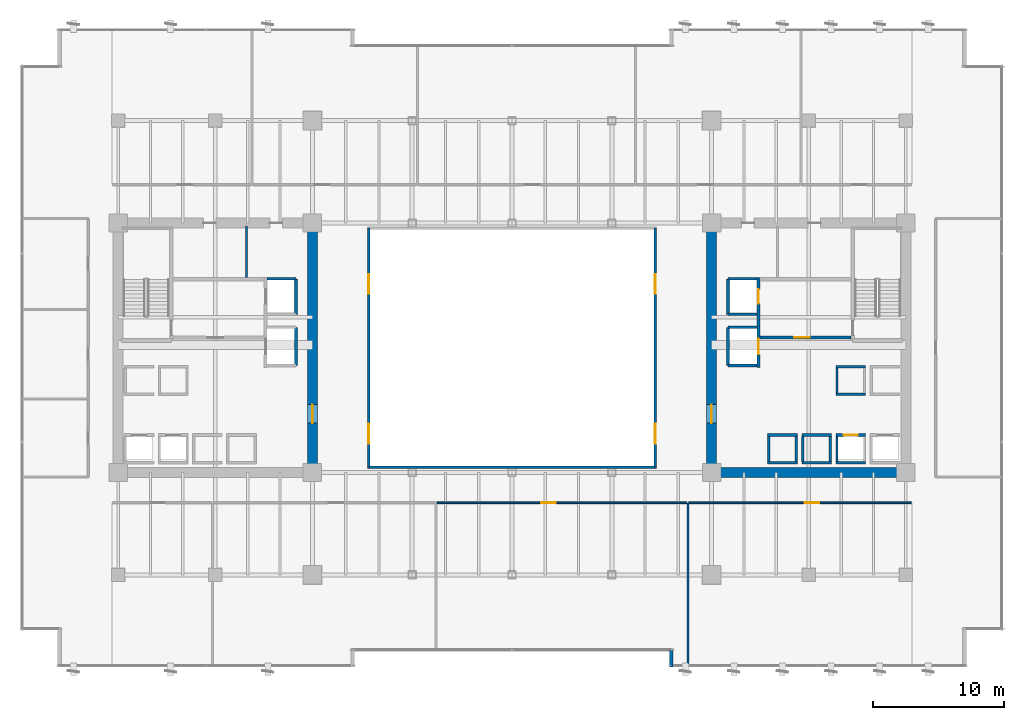
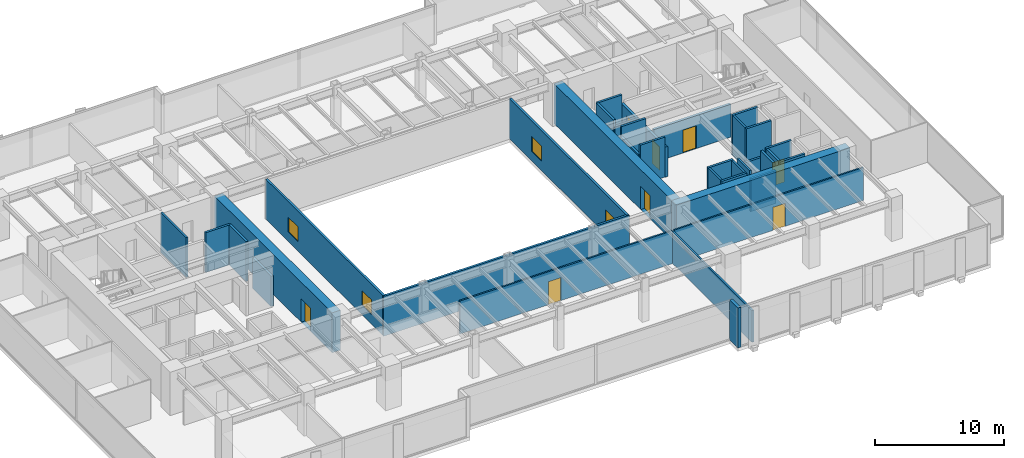
# One storey, part 30 of 37: 36 walls, 8 doors, 4 windows, 12 openings.
"""IFC4 building model written with IfcOpenShell, lengths in metres."""

from ifc_helpers import new_model, si_unit, direction, frame, frame_2d, origin, place, context, subcontext, project, spatial, rectangle, extrude, source, transform, mapped, material, layer, layer_set, type_object, type_shapes, element, fill, save


model = new_model("IFC4")

# Units and contexts
model_context = context("Model", 3, precision=1e-05, world=origin(), true_north=direction((0.0, 1.0)))
body_context = subcontext(model_context, "Body", "Model", "MODEL_VIEW")
ifc_project = project(units=[si_unit("LENGTHUNIT", "METRE"), si_unit("AREAUNIT", "SQUARE_METRE"), si_unit("VOLUMEUNIT", "CUBIC_METRE"), si_unit("PLANEANGLEUNIT", "RADIAN"), si_unit("MASSUNIT", "GRAM", prefix="KILO")], contexts=[model_context])

# Site, building, storey
site_placement = place(None, origin())
site = spatial("IfcSite", under=ifc_project, at=site_placement, CompositionType="ELEMENT")
building_placement = place(site_placement, origin())
building = spatial("IfcBuilding", under=site, at=building_placement, Name="Haelvirn Gate Laboratories", CompositionType="ELEMENT")
storey_placement = place(building_placement, frame((0.0, 0.0, 74.39990234375)))
storey = spatial("IfcBuildingStorey", under=building, at=storey_placement, Name="L18", CompositionType="ELEMENT", Elevation=74.39990234375)

# Walls
ifc_material_1 = material(Name="Thermally-broken bronze aluminium rainscreen & mineral wool", Category="aluminium")
ifc_layer_1 = layer(ifc_material_1, 0.280029296875, Name="EW-TERR-280")
ifc_layer_set_1 = layer_set([ifc_layer_1], Name="Thermally-broken bronze aluminium rainscreen & mineral wool")
wall_type_1 = type_object("IfcWallType", Name="EW-TERR-280", PredefinedType="STANDARD", material=ifc_layer_set_1)
wall_1_placement = place(storey_placement, frame((49.5400390625, 1.2880859375, 0.0), z_axis=(0.0, 0.0, 1.0), x_axis=(0.0, -1.0, 0.0)))
element("IfcWall", 1, at=wall_1_placement, inside=storey, type_object=wall_type_1, Name="L18 Atrium Recess Bronze Return Wall 03", PredefinedType="STANDARD", context=body_context, shape_type="SweptSolid", body=[
    extrude(rectangle(XDim=1.2880859375, YDim=0.280029296875, at=frame_2d((0.64404296875, 0.0))), origin(), (0.0, 0.0, 1.0), 3.780029296875),
])
ifc_material_2 = material(Name="Double-layer acoustic gypsum laboratory partition", Category="gypsum")
ifc_layer_2 = layer(ifc_material_2, 0.159912109375, Name="IW-ACOUST-160")
ifc_layer_set_2 = layer_set([ifc_layer_2], Name="Double-layer acoustic gypsum laboratory partition")
wall_type_2 = type_object("IfcWallType", Name="IW-ACOUST-160", PredefinedType="PARTITIONING", material=ifc_layer_set_2)
wall_2_placement = place(storey_placement, frame((50.800048828125, 0.110107421875, 0.0), z_axis=(0.0, 0.0, 1.0), x_axis=(0.0, 1.0, 0.0)))
element("IfcWall", 2, at=wall_2_placement, inside=storey, type_object=wall_type_2, Name="L18 Interior Wall IW-L18-SDIV-03", PredefinedType="PARTITIONING", context=body_context, shape_type="SweptSolid", body=[
    extrude(rectangle(XDim=12.3798828125, YDim=0.159912109375, at=frame_2d((6.18994140625, 0.0))), origin(), (0.0, 0.0, 1.0), 3.01513671875),
])

# Wall, openings, windows
ifc_material_3 = material(Name="Tempered fire-rated borosilicate glass & anodised aluminium", Category="aluminium")
ifc_layer_3 = layer(ifc_material_3, 0.195068359375, Name="IW-GLAZ-200")
ifc_layer_set_3 = layer_set([ifc_layer_3], Name="Tempered fire-rated borosilicate glass & anodised aluminium")
wall_type_3 = type_object("IfcWallType", Name="IW-GLAZ-200", PredefinedType="SOLIDWALL", material=ifc_layer_set_3)
wall_3_placement = place(storey_placement, frame((26.5, 15.199951171875, 0.0), z_axis=(0.0, 0.0, 1.0), x_axis=(0.0, 1.0, 0.0)))
wall_3 = element("IfcWall", 3, at=wall_3_placement, inside=storey, type_object=wall_type_3, Name="L18 Interior Wall IW-L18-ATRIUM-W", PredefinedType="SOLIDWALL", context=body_context, shape_type="SweptSolid", body=[
    extrude(rectangle(XDim=18.199951171875, YDim=0.195068359375, at=frame_2d((9.10009765625, 0.0))), origin(), (0.0, 0.0, 1.0), 3.780029296875),
])
opening_1_placement = place(wall_3_placement, frame((1.800048828125, 0.0, 0.89990234375)))
opening_1 = element("IfcOpeningElement", 4, at=opening_1_placement, cuts=wall_3, Name="Opening W5", PredefinedType="OPENING", context=body_context, shape_type="SweptSolid", body=[
    extrude(rectangle(XDim=1.5, YDim=1.39990234375, at=frame_2d((0.75, 0.699951171875))), frame((0.0, 0.107421875, 0.0), z_axis=(0.0, -1.0, 0.0), x_axis=(1.0, 0.0, 0.0)), (0.0, 0.0, 1.0), 0.215087890625),
])
opening_2_placement = place(wall_3_placement, frame((13.199951171875, 0.0, 0.89990234375)))
opening_2 = element("IfcOpeningElement", 5, at=opening_2_placement, cuts=wall_3, Name="Opening W5", PredefinedType="OPENING", context=body_context, shape_type="SweptSolid", body=[
    extrude(rectangle(XDim=1.5, YDim=1.39990234375, at=frame_2d((0.75, 0.699951171875))), frame((0.0, 0.107421875, 0.0), z_axis=(0.0, -1.0, 0.0), x_axis=(1.0, 0.0, 0.0)), (0.0, 0.0, 1.0), 0.215087890625),
])
ifc_material_4 = material(Name="Fire-rated EI 120 borosilicate atrium vision glazing", Category="glass")
window_type = type_object("IfcWindowType", Name="WN-ATR-1500", PartitioningType="SINGLE_PANEL", PredefinedType="WINDOW", material=ifc_material_4)
shared_shape_1 = source(origin(), body_context, "Body", "SweptSolid", [
    extrude(rectangle(XDim=1.5, YDim=1.39990234375, at=frame_2d((0.75, 0.699951171875))), frame((0.0, 0.030029296875, 0.0), z_axis=(0.0, -1.0, 0.0), x_axis=(1.0, 0.0, 0.0)), (0.0, 0.0, 1.0), 0.06005859375),
])
type_shapes(window_type, [shared_shape_1])
window_1_placement = place(opening_1_placement, origin())
window_1 = element("IfcWindow", 6, at=window_1_placement, inside=storey, type_object=window_type, Name="L18 Atrium Observation Window 1", OverallHeight=1.39990234375, OverallWidth=1.5, PartitioningType="SINGLE_PANEL", PredefinedType="WINDOW", context=body_context, shape_type="MappedRepresentation", body=[
    mapped(shared_shape_1, transform((0.0, 0.0, 0.0), scale=1.0)),
])
fill(opening_1, window_1)
window_2_placement = place(opening_2_placement, origin())
window_2 = element("IfcWindow", 7, at=window_2_placement, inside=storey, type_object=window_type, Name="L18 Atrium Observation Window 2", OverallHeight=1.39990234375, OverallWidth=1.5, PartitioningType="SINGLE_PANEL", PredefinedType="WINDOW", context=body_context, shape_type="MappedRepresentation", body=[
    mapped(shared_shape_1, transform((0.0, 0.0, 0.0), scale=1.0)),
])
fill(opening_2, window_2)

wall_4_placement = place(storey_placement, frame((48.300048828125, 15.199951171875, 0.0), z_axis=(0.0, 0.0, 1.0), x_axis=(0.0, 1.0, 0.0)))
wall_4 = element("IfcWall", 8, at=wall_4_placement, inside=storey, type_object=wall_type_3, Name="L18 Interior Wall IW-L18-ATRIUM-E", PredefinedType="SOLIDWALL", context=body_context, shape_type="SweptSolid", body=[
    extrude(rectangle(XDim=18.199951171875, YDim=0.195068359375, at=frame_2d((9.10009765625, 0.0))), origin(), (0.0, 0.0, 1.0), 3.780029296875),
])
opening_3_placement = place(wall_4_placement, frame((1.800048828125, 0.0, 0.89990234375)))
opening_3 = element("IfcOpeningElement", 9, at=opening_3_placement, cuts=wall_4, Name="Opening W5", PredefinedType="OPENING", context=body_context, shape_type="SweptSolid", body=[
    extrude(rectangle(XDim=1.5, YDim=1.39990234375, at=frame_2d((0.75, 0.699951171875))), frame((0.0, 0.107421875, 0.0), z_axis=(0.0, -1.0, 0.0), x_axis=(1.0, 0.0, 0.0)), (0.0, 0.0, 1.0), 0.215087890625),
])
opening_4_placement = place(wall_4_placement, frame((13.199951171875, 0.0, 0.89990234375)))
opening_4 = element("IfcOpeningElement", 10, at=opening_4_placement, cuts=wall_4, Name="Opening W5", PredefinedType="OPENING", context=body_context, shape_type="SweptSolid", body=[
    extrude(rectangle(XDim=1.5, YDim=1.39990234375, at=frame_2d((0.75, 0.699951171875))), frame((0.0, 0.107421875, 0.0), z_axis=(0.0, -1.0, 0.0), x_axis=(1.0, 0.0, 0.0)), (0.0, 0.0, 1.0), 0.215087890625),
])
window_3_placement = place(opening_3_placement, origin())
window_3 = element("IfcWindow", 11, at=window_3_placement, inside=storey, type_object=window_type, Name="L18 Atrium Observation Window 1", OverallHeight=1.39990234375, OverallWidth=1.5, PartitioningType="SINGLE_PANEL", PredefinedType="WINDOW", context=body_context, shape_type="MappedRepresentation", body=[
    mapped(shared_shape_1, transform((0.0, 0.0, 0.0), scale=1.0)),
])
fill(opening_3, window_3)
window_4_placement = place(opening_4_placement, origin())
window_4 = element("IfcWindow", 12, at=window_4_placement, inside=storey, type_object=window_type, Name="L18 Atrium Observation Window 2", OverallHeight=1.39990234375, OverallWidth=1.5, PartitioningType="SINGLE_PANEL", PredefinedType="WINDOW", context=body_context, shape_type="MappedRepresentation", body=[
    mapped(shared_shape_1, transform((0.0, 0.0, 0.0), scale=1.0)),
])
fill(opening_4, window_4)

# Wall
wall_5_placement = place(storey_placement, frame((26.39990234375, 15.199951171875, 0.0), z_axis=(0.0, 0.0, 1.0), x_axis=(1.0, 0.0, 0.0)))
element("IfcWall", 13, at=wall_5_placement, inside=storey, type_object=wall_type_3, Name="L18 Interior Wall IW-L18-ATRIUM-S", PredefinedType="SOLIDWALL", context=body_context, shape_type="SweptSolid", body=[
    extrude(rectangle(XDim=22.0, YDim=0.195068359375, at=frame_2d((11.0, 0.0))), origin(), (0.0, 0.0, 1.0), 3.780029296875),
])

# Wall, opening, door
ifc_material_5 = material(Name="Acoustic mineral-wool gypsum board partition", Category="gypsum")
ifc_layer_4 = layer(ifc_material_5, 0.139892578125, Name="IW-PART-140")
ifc_layer_set_4 = layer_set([ifc_layer_4], Name="Acoustic mineral-wool gypsum board partition")
wall_type_4 = type_object("IfcWallType", Name="IW-PART-140", PredefinedType="PARTITIONING", material=ifc_layer_set_4)
wall_6_placement = place(storey_placement, frame((31.679931640625, 12.489990234375, 0.0), z_axis=(0.0, 0.0, 1.0), x_axis=(1.0, 0.0, 0.0)))
wall_6 = element("IfcWall", 14, at=wall_6_placement, inside=storey, type_object=wall_type_4, Name="L18 Interior Wall IW-L18-SCORR-03", PredefinedType="PARTITIONING", context=body_context, shape_type="SweptSolid", body=[
    extrude(rectangle(XDim=19.0400390625, YDim=0.139892578125, at=frame_2d((9.52001953125, 0.0))), origin(), (0.0, 0.0, 1.0), 3.114990234375),
])
opening_5_placement = place(wall_6_placement, frame((7.935546875, 0.0, 0.0)))
opening_5 = element("IfcOpeningElement", 15, at=opening_5_placement, cuts=wall_6, Name="Opening D1", PredefinedType="OPENING", context=body_context, shape_type="SweptSolid", body=[
    extrude(rectangle(XDim=1.10009765625, YDim=2.179931640625, at=frame_2d((0.550048828125, 1.08984375))), frame((0.0, 0.080078125, 0.0), z_axis=(0.0, -1.0, 0.0), x_axis=(1.0, 0.0, 0.0)), (0.0, 0.0, 1.0), 0.159912109375),
])
ifc_material_6 = material(Name="Vision-panel acoustic solid-core timber lab door", Category="wood")
door_type_1 = type_object("IfcDoorType", Name="DR-LAB-1100", OperationType="NOTDEFINED", PredefinedType="DOOR", material=ifc_material_6)
shared_shape_2 = source(origin(), body_context, "Body", "SweptSolid", [
    extrude(rectangle(XDim=1.10009765625, YDim=2.179931640625, at=frame_2d((0.550048828125, 1.08984375))), frame((0.0, 0.02490234375, 0.0), z_axis=(0.0, -1.0, 0.0), x_axis=(1.0, 0.0, 0.0)), (0.0, 0.0, 1.0), 0.050048828125),
])
type_shapes(door_type_1, [shared_shape_2])
door_1_placement = place(opening_5_placement, origin())
door_1 = element("IfcDoor", 16, at=door_1_placement, inside=storey, type_object=door_type_1, Name="L18 Protocol Briefing Training Room Door S3", OperationType="SINGLE_SWING_LEFT", OverallHeight=2.179931640625, OverallWidth=1.10009765625, PredefinedType="DOOR", context=body_context, shape_type="MappedRepresentation", body=[
    mapped(shared_shape_2, transform((0.0, 0.0, 0.0), scale=1.0)),
])
fill(opening_5, door_1)

wall_7_placement = place(storey_placement, frame((50.8798828125, 12.489990234375, 0.0), z_axis=(0.0, 0.0, 1.0), x_axis=(1.0, 0.0, 0.0)))
wall_7 = element("IfcWall", 17, at=wall_7_placement, inside=storey, type_object=wall_type_4, Name="L18 Interior Wall IW-L18-SCORR-04", PredefinedType="PARTITIONING", context=body_context, shape_type="SweptSolid", body=[
    extrude(rectangle(XDim=16.940185546875, YDim=0.139892578125, at=frame_2d((8.47021484375, 0.0))), origin(), (0.0, 0.0, 1.0), 3.114990234375),
])
opening_6_placement = place(wall_7_placement, frame((8.828369140625, 0.0, 0.0)))
opening_6 = element("IfcOpeningElement", 18, at=opening_6_placement, cuts=wall_7, Name="Opening D1", PredefinedType="OPENING", context=body_context, shape_type="SweptSolid", body=[
    extrude(rectangle(XDim=1.10009765625, YDim=2.179931640625, at=frame_2d((0.550048828125, 1.08984375))), frame((0.0, 0.080078125, 0.0), z_axis=(0.0, -1.0, 0.0), x_axis=(1.0, 0.0, 0.0)), (0.0, 0.0, 1.0), 0.159912109375),
])
door_2_placement = place(opening_6_placement, origin())
door_2 = element("IfcDoor", 19, at=door_2_placement, inside=storey, type_object=door_type_1, Name="L18 Peer-Review Seminar Room Door S4", OperationType="SINGLE_SWING_RIGHT", OverallHeight=2.179931640625, OverallWidth=1.10009765625, PredefinedType="DOOR", context=body_context, shape_type="MappedRepresentation", body=[
    mapped(shared_shape_2, transform((0.0, 0.0, 0.0), scale=1.0)),
])
fill(opening_6, door_2)

# Walls
ifc_material_7 = material(Name="Cement-board restroom plumbing chase wall", Category="gypsum")
ifc_layer_5 = layer(ifc_material_7, 0.155029296875, Name="IW-PLUMB-160")
ifc_layer_set_5 = layer_set([ifc_layer_5], Name="Cement-board restroom plumbing chase wall")
wall_type_5 = type_object("IfcWallType", Name="IW-PLUMB-160", PredefinedType="PLUMBINGWALL", material=ifc_layer_set_5)
wall_8_placement = place(storey_placement, frame((17.18994140625, 29.64990234375, 0.0), z_axis=(0.0, 0.0, 1.0), x_axis=(0.0, 1.0, 0.0)))
element("IfcWall", 20, at=wall_8_placement, inside=storey, type_object=wall_type_5, Name="L18 Interior Wall IW-L18-W-CDIV-1", PredefinedType="PLUMBINGWALL", context=body_context, shape_type="SweptSolid", body=[
    extrude(rectangle(XDim=3.93017578125, YDim=0.155029296875, at=frame_2d((1.965087890625, 0.0))), origin(), (0.0, 0.0, 1.0), 3.780029296875),
])
ifc_material_8 = material(Name="Concrete C40/50", Category="concrete")
ifc_layer_6 = layer(ifc_material_8, 0.179931640625, Name="IW-SHAFT-180")
ifc_layer_set_6 = layer_set([ifc_layer_6], Name="Concrete C40/50")
wall_type_6 = type_object("IfcWallType", Name="IW-SHAFT-180", PredefinedType="SOLIDWALL", material=ifc_layer_set_6)
for number, where, z_axis, x_axis, name in (
    (21, (62.14990234375, 15.64990234375, 0.0), (0.0, 0.0, 1.0), (0.0, 1.0, 0.0), "L18 Interior Wall IW-L18-PL4-SD"),
    (22, (59.550048828125, 15.64990234375, 0.0), (0.0, 0.0, 1.0), (0.0, 1.0, 0.0), "L18 Interior Wall IW-L18-PL7-SD"),
    (23, (61.64990234375, 15.64990234375, 0.0), (0.0, 0.0, 1.0), (0.0, 1.0, 0.0), "L18 Interior Wall IW-L18-PL7-SDE"),
    (24, (56.949951171875, 15.64990234375, 0.0), (0.0, 0.0, 1.0), (0.0, 1.0, 0.0), "L18 Interior Wall IW-L18-PL8-SD"),
    (25, (59.050048828125, 15.64990234375, 0.0), (0.0, 0.0, 1.0), (0.0, 1.0, 0.0), "L18 Interior Wall IW-L18-PL8-SDE"),
):
    element("IfcWall", number, at=place(storey_placement, frame(where, z_axis=z_axis, x_axis=x_axis)), inside=storey, type_object=wall_type_6, Name=name, PredefinedType="SOLIDWALL", context=body_context, shape_type="SweptSolid", body=[
        extrude(rectangle(XDim=1.900146484375, YDim=0.179931640625, at=frame_2d((0.9501953125, 0.0))), origin(), (0.0, 0.0, 1.0), 3.780029296875),
    ])
wall_9_placement = place(storey_placement, frame((62.14990234375, 20.85009765625, 0.0), z_axis=(0.0, 0.0, 1.0), x_axis=(0.0, 1.0, 0.0)))
element("IfcWall", 26, at=wall_9_placement, inside=storey, type_object=wall_type_6, Name="L18 Interior Wall IW-L18-PL12-SD", PredefinedType="SOLIDWALL", context=body_context, shape_type="SweptSolid", body=[
    extrude(rectangle(XDim=1.89990234375, YDim=0.179931640625, at=frame_2d((0.949951171875, 0.0))), origin(), (0.0, 0.0, 1.0), 3.780029296875),
])
ifc_layer_7 = layer(ifc_material_8, 0.199951171875, Name="IW-SHAFT-200")
ifc_layer_set_7 = layer_set([ifc_layer_7], Name="Concrete C40/50")
wall_type_7 = type_object("IfcWallType", Name="IW-SHAFT-200", PredefinedType="SOLIDWALL", material=ifc_layer_set_7)
wall_10_placement = place(storey_placement, frame((20.949951171875, 26.85009765625, 0.0), z_axis=(0.0, 0.0, 1.0), x_axis=(0.0, 1.0, 0.0)))
element("IfcWall", 27, at=wall_10_placement, inside=storey, type_object=wall_type_7, Name="L18 Interior Wall IW-L18-FL1-BK", PredefinedType="SOLIDWALL", context=body_context, shape_type="SweptSolid", body=[
    extrude(rectangle(XDim=2.699951171875, YDim=0.199951171875, at=frame_2d((1.35009765625, 0.0))), origin(), (0.0, 0.0, 1.0), 3.780029296875),
])
wall_11_placement = place(storey_placement, frame((18.760009765625, 29.550048828125, 0.0), z_axis=(0.0, 0.0, 1.0), x_axis=(1.0, 0.0, 0.0)))
element("IfcWall", 28, at=wall_11_placement, inside=storey, type_object=wall_type_7, Name="L18 Interior Wall IW-L18-FL1-N", PredefinedType="SOLIDWALL", context=body_context, shape_type="SweptSolid", body=[
    extrude(rectangle(XDim=2.18994140625, YDim=0.199951171875, at=frame_2d((1.094970703125, 0.0))), origin(), (0.0, 0.0, 1.0), 3.780029296875),
])
wall_12_placement = place(storey_placement, frame((20.949951171875, 22.949951171875, 0.0), z_axis=(0.0, 0.0, 1.0), x_axis=(0.0, 1.0, 0.0)))
element("IfcWall", 29, at=wall_12_placement, inside=storey, type_object=wall_type_7, Name="L18 Interior Wall IW-L18-SL1-BK", PredefinedType="SOLIDWALL", context=body_context, shape_type="SweptSolid", body=[
    extrude(rectangle(XDim=2.900146484375, YDim=0.199951171875, at=frame_2d((1.4501953125, 0.0))), origin(), (0.0, 0.0, 1.0), 2.864990234375),
])

# Wall, opening, door
wall_13_placement = place(storey_placement, frame((62.070068359375, 17.64990234375, 0.0), z_axis=(0.0, 0.0, 1.0), x_axis=(1.0, 0.0, 0.0)))
wall_13 = element("IfcWall", 30, at=wall_13_placement, inside=storey, type_object=wall_type_7, Name="L18 Interior Wall IW-L18-PL4-FR", PredefinedType="SOLIDWALL", context=body_context, shape_type="SweptSolid", body=[
    extrude(rectangle(XDim=2.260009765625, YDim=0.199951171875, at=frame_2d((1.1298828125, 0.0))), origin(), (0.0, 0.0, 1.0), 3.780029296875),
])
opening_7_placement = place(wall_13_placement, frame((0.580078125, 0.0, 0.0)))
opening_7 = element("IfcOpeningElement", 31, at=opening_7_placement, cuts=wall_13, Name="Opening LD2", PredefinedType="OPENING", context=body_context, shape_type="SweptSolid", body=[
    extrude(rectangle(XDim=1.10009765625, YDim=2.219970703125, at=frame_2d((0.550048828125, 1.10986328125))), frame((0.0, 0.10986328125, 0.0), z_axis=(0.0, -1.0, 0.0), x_axis=(1.0, 0.0, 0.0)), (0.0, 0.0, 1.0), 0.219970703125),
])
ifc_material_9 = material(Name="Bronze stainless 316L sliding lift landing door")
door_type_2 = type_object("IfcDoorType", Name="DR-LD-1100", OperationType="NOTDEFINED", PredefinedType="USERDEFINED", material=ifc_material_9)
shared_shape_3 = source(origin(), body_context, "Body", "SweptSolid", [
    extrude(rectangle(XDim=1.10009765625, YDim=2.219970703125, at=frame_2d((0.550048828125, 1.10986328125))), frame((0.0, 0.02490234375, 0.0), z_axis=(0.0, -1.0, 0.0), x_axis=(1.0, 0.0, 0.0)), (0.0, 0.0, 1.0), 0.050048828125),
])
type_shapes(door_type_2, [shared_shape_3])
door_3_placement = place(opening_7_placement, origin())
door_3 = element("IfcDoor", 32, at=door_3_placement, inside=storey, type_object=door_type_2, Name="L18 Passenger Lift PL4 Landing Door", ObjectType="LANDING_DOOR", OperationType="SLIDING_TO_RIGHT", OverallHeight=2.219970703125, OverallWidth=1.10009765625, PredefinedType="USERDEFINED", context=body_context, shape_type="MappedRepresentation", body=[
    mapped(shared_shape_3, transform((0.0, 0.0, 0.0), scale=1.0)),
])
fill(opening_7, door_3)

# Walls
wall_14_placement = place(storey_placement, frame((62.070068359375, 15.550048828125, 0.0), z_axis=(0.0, 0.0, 1.0), x_axis=(1.0, 0.0, 0.0)))
element("IfcWall", 33, at=wall_14_placement, inside=storey, type_object=wall_type_7, Name="L18 Interior Wall IW-L18-PL4-BK", PredefinedType="SOLIDWALL", context=body_context, shape_type="SweptSolid", body=[
    extrude(rectangle(XDim=2.260009765625, YDim=0.199951171875, at=frame_2d((1.1298828125, 0.0))), origin(), (0.0, 0.0, 1.0), 3.780029296875),
])
for number, where, z_axis, x_axis, name in (
    (34, (59.469970703125, 17.64990234375, 0.0), (0.0, 0.0, 1.0), (1.0, 0.0, 0.0), "L18 Interior Wall IW-L18-PL7-FR"),
    (35, (59.469970703125, 15.550048828125, 0.0), (0.0, 0.0, 1.0), (1.0, 0.0, 0.0), "L18 Interior Wall IW-L18-PL7-BK"),
):
    element("IfcWall", number, at=place(storey_placement, frame(where, z_axis=z_axis, x_axis=x_axis)), inside=storey, type_object=wall_type_7, Name=name, PredefinedType="SOLIDWALL", context=body_context, shape_type="SweptSolid", body=[
        extrude(rectangle(XDim=2.260009765625, YDim=0.199951171875, at=frame_2d((1.1298828125, 0.0))), origin(), (0.0, 0.0, 1.0), 3.114990234375),
    ])
for number, where, z_axis, x_axis, name in (
    (36, (56.8701171875, 17.64990234375, 0.0), (0.0, 0.0, 1.0), (1.0, 0.0, 0.0), "L18 Interior Wall IW-L18-PL8-FR"),
    (37, (56.8701171875, 15.550048828125, 0.0), (0.0, 0.0, 1.0), (1.0, 0.0, 0.0), "L18 Interior Wall IW-L18-PL8-BK"),
):
    element("IfcWall", number, at=place(storey_placement, frame(where, z_axis=z_axis, x_axis=x_axis)), inside=storey, type_object=wall_type_7, Name=name, PredefinedType="SOLIDWALL", context=body_context, shape_type="SweptSolid", body=[
        extrude(rectangle(XDim=2.259765625, YDim=0.199951171875, at=frame_2d((1.1298828125, 0.0))), origin(), (0.0, 0.0, 1.0), 3.780029296875),
    ])
for number, where, z_axis, x_axis, name in (
    (38, (62.070068359375, 20.75, 0.0), (0.0, 0.0, 1.0), (1.0, 0.0, 0.0), "L18 Interior Wall IW-L18-PL12-FR"),
    (39, (62.070068359375, 22.85009765625, 0.0), (0.0, 0.0, 1.0), (1.0, 0.0, 0.0), "L18 Interior Wall IW-L18-PL12-BK"),
):
    element("IfcWall", number, at=place(storey_placement, frame(where, z_axis=z_axis, x_axis=x_axis)), inside=storey, type_object=wall_type_7, Name=name, PredefinedType="SOLIDWALL", context=body_context, shape_type="SweptSolid", body=[
        extrude(rectangle(XDim=2.260009765625, YDim=0.199951171875, at=frame_2d((1.1298828125, 0.0))), origin(), (0.0, 0.0, 1.0), 3.780029296875),
    ])
wall_15_placement = place(storey_placement, frame((53.85009765625, 26.85009765625, 0.0), z_axis=(0.0, 0.0, 1.0), x_axis=(0.0, 1.0, 0.0)))
element("IfcWall", 40, at=wall_15_placement, inside=storey, type_object=wall_type_7, Name="L18 Interior Wall IW-L18-FL2-BK", PredefinedType="SOLIDWALL", context=body_context, shape_type="SweptSolid", body=[
    extrude(rectangle(XDim=2.699951171875, YDim=0.199951171875, at=frame_2d((1.35009765625, 0.0))), origin(), (0.0, 0.0, 1.0), 3.780029296875),
])
wall_16_placement = place(storey_placement, frame((53.85009765625, 29.550048828125, 0.0), z_axis=(0.0, 0.0, 1.0), x_axis=(1.0, 0.0, 0.0)))
element("IfcWall", 41, at=wall_16_placement, inside=storey, type_object=wall_type_7, Name="L18 Interior Wall IW-L18-FL2-N", PredefinedType="SOLIDWALL", context=body_context, shape_type="SweptSolid", body=[
    extrude(rectangle(XDim=2.18994140625, YDim=0.199951171875, at=frame_2d((1.094970703125, 0.0))), origin(), (0.0, 0.0, 1.0), 3.780029296875),
])
wall_17_placement = place(storey_placement, frame((53.85009765625, 26.85009765625, 0.0), z_axis=(0.0, 0.0, 1.0), x_axis=(1.0, 0.0, 0.0)))
element("IfcWall", 42, at=wall_17_placement, inside=storey, type_object=wall_type_7, Name="L18 Interior Wall IW-L18-FL2-S", PredefinedType="SOLIDWALL", context=body_context, shape_type="SweptSolid", body=[
    extrude(rectangle(XDim=2.18994140625, YDim=0.199951171875, at=frame_2d((1.094970703125, 0.0))), origin(), (0.0, 0.0, 1.0), 3.177001953125),
])
wall_18_placement = place(storey_placement, frame((53.85009765625, 22.949951171875, 0.0), z_axis=(0.0, 0.0, 1.0), x_axis=(0.0, 1.0, 0.0)))
element("IfcWall", 43, at=wall_18_placement, inside=storey, type_object=wall_type_7, Name="L18 Interior Wall IW-L18-SL2-BK", PredefinedType="SOLIDWALL", context=body_context, shape_type="SweptSolid", body=[
    extrude(rectangle(XDim=2.900146484375, YDim=0.199951171875, at=frame_2d((1.4501953125, 0.0))), origin(), (0.0, 0.0, 1.0), 2.864990234375),
])
for number, where, z_axis, x_axis, name in (
    (44, (53.85009765625, 25.85009765625, 0.0), (0.0, 0.0, 1.0), (1.0, 0.0, 0.0), "L18 Interior Wall IW-L18-SL2-N"),
    (45, (53.85009765625, 22.949951171875, 0.0), (0.0, 0.0, 1.0), (1.0, 0.0, 0.0), "L18 Interior Wall IW-L18-SL2-S"),
):
    element("IfcWall", number, at=place(storey_placement, frame(where, z_axis=z_axis, x_axis=x_axis)), inside=storey, type_object=wall_type_7, Name=name, PredefinedType="SOLIDWALL", context=body_context, shape_type="SweptSolid", body=[
        extrude(rectangle(XDim=2.18994140625, YDim=0.199951171875, at=frame_2d((1.094970703125, 0.0))), origin(), (0.0, 0.0, 1.0), 3.780029296875),
    ])

# Wall, opening, door
ifc_layer_8 = layer(ifc_material_8, 0.239990234375, Name="IW-SHAFT-240")
ifc_layer_set_8 = layer_set([ifc_layer_8], Name="Concrete C40/50")
wall_type_8 = type_object("IfcWallType", Name="IW-SHAFT-240", PredefinedType="SOLIDWALL", material=ifc_layer_set_8)
wall_19_placement = place(storey_placement, frame((56.280029296875, 25.080078125, 0.0), z_axis=(0.0, 0.0, 1.0), x_axis=(1.0, 0.0, 0.0)))
wall_19 = element("IfcWall", 46, at=wall_19_placement, inside=storey, type_object=wall_type_8, Name="L18 Interior Wall IW-L18-E-FF-S", PredefinedType="SOLIDWALL", context=body_context, shape_type="SweptSolid", body=[
    extrude(rectangle(XDim=6.919921875, YDim=0.239990234375, at=frame_2d((3.4599609375, 0.0))), origin(), (0.0, 0.0, 1.0), 3.114990234375),
])
opening_8_placement = place(wall_19_placement, frame((2.60009765625, 0.0, 0.0)))
opening_8 = element("IfcOpeningElement", 47, at=opening_8_placement, cuts=wall_19, Name="Opening FD2", PredefinedType="OPENING", context=body_context, shape_type="SweptSolid", body=[
    extrude(rectangle(XDim=1.199951171875, YDim=2.159912109375, at=frame_2d((0.60009765625, 1.080078125))), frame((0.0, 0.1298828125, 0.0), z_axis=(0.0, -1.0, 0.0), x_axis=(1.0, 0.0, 0.0)), (0.0, 0.0, 1.0), 0.260009765625),
])
ifc_material_10 = material(Name="Fire-rated steel SM355 compartment door", Category="steel")
door_type_3 = type_object("IfcDoorType", Name="DR-FD-1200", OperationType="NOTDEFINED", PredefinedType="DOOR", material=ifc_material_10)
shared_shape_4 = source(origin(), body_context, "Body", "SweptSolid", [
    extrude(rectangle(XDim=1.199951171875, YDim=2.159912109375, at=frame_2d((0.60009765625, 1.080078125))), frame((0.0, 0.02490234375, 0.0), z_axis=(0.0, -1.0, 0.0), x_axis=(1.0, 0.0, 0.0)), (0.0, 0.0, 1.0), 0.050048828125),
])
type_shapes(door_type_3, [shared_shape_4])
door_4_placement = place(opening_8_placement, origin())
door_4 = element("IfcDoor", 48, at=door_4_placement, inside=storey, type_object=door_type_3, Name="L18 East Firefighting Lobby Door", OperationType="SINGLE_SWING_LEFT", OverallHeight=2.159912109375, OverallWidth=1.199951171875, PredefinedType="DOOR", context=body_context, shape_type="MappedRepresentation", body=[
    mapped(shared_shape_4, transform((0.0, 0.0, 0.0), scale=1.0)),
])
fill(opening_8, door_4)

# Wall, openings, doors
wall_20_placement = place(storey_placement, frame((56.159912109375, 22.800048828125, 0.0), z_axis=(0.0, 0.0, 1.0), x_axis=(0.0, 1.0, 0.0)))
wall_20 = element("IfcWall", 49, at=wall_20_placement, inside=storey, type_object=wall_type_8, Name="L18 Interior Wall IW-L18-E-FF-E", PredefinedType="SOLIDWALL", context=body_context, shape_type="SweptSolid", body=[
    extrude(rectangle(XDim=6.849853515625, YDim=0.239990234375, at=frame_2d((3.4248046875, 0.0))), origin(), (0.0, 0.0, 1.0), 2.864990234375),
])
opening_9_placement = place(wall_20_placement, frame((4.85009765625, 0.0, 0.0)))
opening_9 = element("IfcOpeningElement", 50, at=opening_9_placement, cuts=wall_20, Name="Opening LD2", PredefinedType="OPENING", context=body_context, shape_type="SweptSolid", body=[
    extrude(rectangle(XDim=1.10009765625, YDim=2.219970703125, at=frame_2d((0.550048828125, 1.10986328125))), frame((0.0, 0.1298828125, 0.0), z_axis=(0.0, -1.0, 0.0), x_axis=(1.0, 0.0, 0.0)), (0.0, 0.0, 1.0), 0.260009765625),
])
opening_10_placement = place(wall_20_placement, frame((1.0, 0.0, 0.0)))
opening_10 = element("IfcOpeningElement", 51, at=opening_10_placement, cuts=wall_20, Name="Opening LD1", PredefinedType="OPENING", context=body_context, shape_type="SweptSolid", body=[
    extrude(rectangle(XDim=1.199951171875, YDim=2.219970703125, at=frame_2d((0.60009765625, 1.10986328125))), frame((0.0, 0.1298828125, 0.0), z_axis=(0.0, -1.0, 0.0), x_axis=(1.0, 0.0, 0.0)), (0.0, 0.0, 1.0), 0.260009765625),
])
door_5_placement = place(opening_9_placement, origin())
door_5 = element("IfcDoor", 52, at=door_5_placement, inside=storey, type_object=door_type_2, Name="L18 Firefighting Lift FL2 Landing Door", ObjectType="LANDING_DOOR", OperationType="SLIDING_TO_RIGHT", OverallHeight=2.219970703125, OverallWidth=1.10009765625, PredefinedType="USERDEFINED", context=body_context, shape_type="MappedRepresentation", body=[
    mapped(shared_shape_3, transform((0.0, 0.0, 0.0), scale=1.0)),
])
fill(opening_9, door_5)
ifc_material_11 = material(Name="Stainless steel 316L sliding goods landing door", Category="steel")
door_type_4 = type_object("IfcDoorType", Name="DR-LD-1200", OperationType="NOTDEFINED", PredefinedType="USERDEFINED", material=ifc_material_11)
shared_shape_5 = source(origin(), body_context, "Body", "SweptSolid", [
    extrude(rectangle(XDim=1.199951171875, YDim=2.219970703125, at=frame_2d((0.60009765625, 1.10986328125))), frame((0.0, 0.02490234375, 0.0), z_axis=(0.0, -1.0, 0.0), x_axis=(1.0, 0.0, 0.0)), (0.0, 0.0, 1.0), 0.050048828125),
])
type_shapes(door_type_4, [shared_shape_5])
door_6_placement = place(opening_10_placement, origin())
door_6 = element("IfcDoor", 53, at=door_6_placement, inside=storey, type_object=door_type_4, Name="L18 Service Lift SL2 Landing Door", ObjectType="LANDING_DOOR", OperationType="SLIDING_TO_LEFT", OverallHeight=2.219970703125, OverallWidth=1.199951171875, PredefinedType="USERDEFINED", context=body_context, shape_type="MappedRepresentation", body=[
    mapped(shared_shape_5, transform((0.0, 0.0, 0.0), scale=1.0)),
])
fill(opening_10, door_6)

# Wall, opening, door
ifc_material_12 = material(Name="Concrete C70/85", Category="concrete")
ifc_layer_9 = layer(ifc_material_12, 0.75, Name="SW-CORE-750")
ifc_layer_set_9 = layer_set([ifc_layer_9], Name="Concrete C70/85")
wall_type_9 = type_object("IfcWallType", Name="SW-CORE-750", PredefinedType="SHEAR", material=ifc_layer_set_9)
wall_21_placement = place(storey_placement, frame((22.199951171875, 15.175048828125, 0.0), z_axis=(0.0, 0.0, 1.0), x_axis=(0.0, 1.0, 0.0)))
wall_21 = element("IfcWall", 54, at=wall_21_placement, inside=storey, type_object=wall_type_9, Name="L18 W Core Shear Wall E", PredefinedType="SHEAR", context=body_context, shape_type="SweptSolid", body=[
    extrude(rectangle(XDim=18.25, YDim=0.75, at=frame_2d((9.125, 0.0))), origin(), (0.0, 0.0, 1.0), 3.780029296875),
])
opening_11_placement = place(wall_21_placement, frame((3.375, 0.0, 0.0)))
opening_11 = element("IfcOpeningElement", 55, at=opening_11_placement, cuts=wall_21, Name="Opening FD1", PredefinedType="OPENING", context=body_context, shape_type="SweptSolid", body=[
    extrude(rectangle(XDim=1.419921875, YDim=2.199951171875, at=frame_2d((0.7099609375, 1.10009765625))), frame((0.0, 0.385009765625, 0.0), z_axis=(0.0, -1.0, 0.0), x_axis=(1.0, 0.0, 0.0)), (0.0, 0.0, 1.0), 0.77001953125),
])
ifc_material_13 = material(Name="Fire-rated double steel SM355 lobby door", Category="steel")
door_type_5 = type_object("IfcDoorType", Name="DR-FD-1400", OperationType="NOTDEFINED", PredefinedType="DOOR", material=ifc_material_13)
shared_shape_6 = source(origin(), body_context, "Body", "SweptSolid", [
    extrude(rectangle(XDim=1.419921875, YDim=2.199951171875, at=frame_2d((0.7099609375, 1.10009765625))), frame((0.0, 0.02490234375, 0.0), z_axis=(0.0, -1.0, 0.0), x_axis=(1.0, 0.0, 0.0)), (0.0, 0.0, 1.0), 0.050048828125),
])
type_shapes(door_type_5, [shared_shape_6])
door_7_placement = place(opening_11_placement, origin())
door_7 = element("IfcDoor", 56, at=door_7_placement, inside=storey, type_object=door_type_5, Name="L18 West Core Lift Lobby Fire Door", OperationType="DOUBLE_DOOR_SINGLE_SWING", OverallHeight=2.199951171875, OverallWidth=1.419921875, PredefinedType="DOOR", context=body_context, shape_type="MappedRepresentation", body=[
    mapped(shared_shape_6, transform((0.0, 0.0, 0.0), scale=1.0)),
])
fill(opening_11, door_7)

# Wall
wall_22_placement = place(storey_placement, frame((52.22509765625, 14.800048828125, 0.0), z_axis=(0.0, 0.0, 1.0), x_axis=(1.0, 0.0, 0.0)))
element("IfcWall", 57, at=wall_22_placement, inside=storey, type_object=wall_type_9, Name="L18 E Core Shear Wall S", PredefinedType="SHEAR", context=body_context, shape_type="SweptSolid", body=[
    extrude(rectangle(XDim=15.5498046875, YDim=0.75, at=frame_2d((7.77490234375, 0.0))), origin(), (0.0, 0.0, 1.0), 3.780029296875),
])

# Wall, opening, door
wall_23_placement = place(storey_placement, frame((52.60009765625, 15.175048828125, 0.0), z_axis=(0.0, 0.0, 1.0), x_axis=(0.0, 1.0, 0.0)))
wall_23 = element("IfcWall", 58, at=wall_23_placement, inside=storey, type_object=wall_type_9, Name="L18 E Core Shear Wall W", PredefinedType="SHEAR", context=body_context, shape_type="SweptSolid", body=[
    extrude(rectangle(XDim=18.25, YDim=0.75, at=frame_2d((9.125, 0.0))), origin(), (0.0, 0.0, 1.0), 3.780029296875),
])
opening_12_placement = place(wall_23_placement, frame((3.375, 0.0, 0.0)))
opening_12 = element("IfcOpeningElement", 59, at=opening_12_placement, cuts=wall_23, Name="Opening FD1", PredefinedType="OPENING", context=body_context, shape_type="SweptSolid", body=[
    extrude(rectangle(XDim=1.419921875, YDim=2.199951171875, at=frame_2d((0.7099609375, 1.10009765625))), frame((0.0, 0.385009765625, 0.0), z_axis=(0.0, -1.0, 0.0), x_axis=(1.0, 0.0, 0.0)), (0.0, 0.0, 1.0), 0.77001953125),
])
door_8_placement = place(opening_12_placement, origin())
door_8 = element("IfcDoor", 60, at=door_8_placement, inside=storey, type_object=door_type_5, Name="L18 East Core Lift Lobby Fire Door", OperationType="DOUBLE_DOOR_SINGLE_SWING", OverallHeight=2.199951171875, OverallWidth=1.419921875, PredefinedType="DOOR", context=body_context, shape_type="MappedRepresentation", body=[
    mapped(shared_shape_6, transform((0.0, 0.0, 0.0), scale=1.0)),
])
fill(opening_12, door_8)

save(model, "model.ifc")
